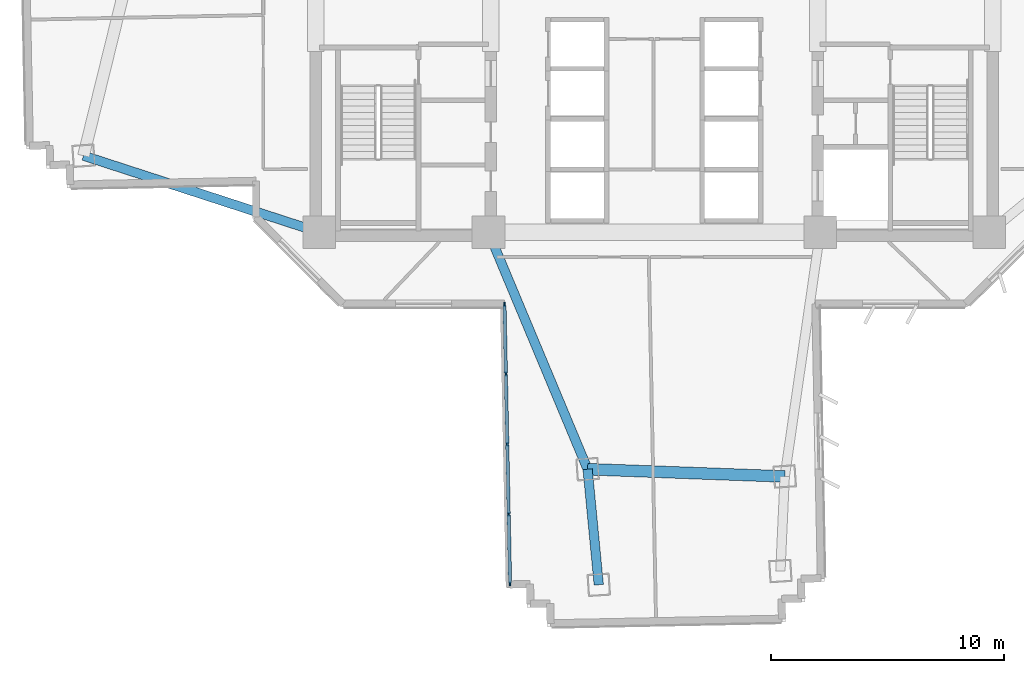
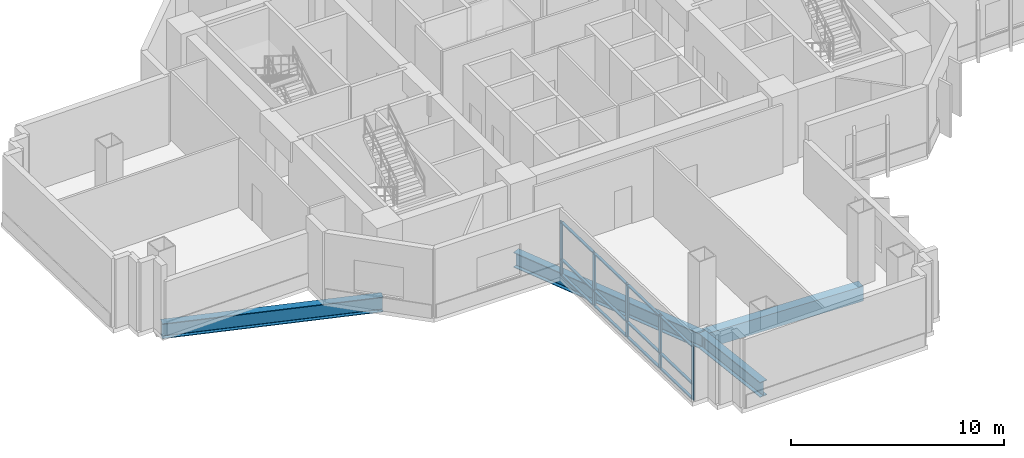
# One storey, part 2 of 15: 17 members, 4 beams, 1 element without a shape of its own.
"""IFC4 building model written with IfcOpenShell, lengths in metres."""

import ifcopenshell
import ifcopenshell.guid

model = None  # the IFC model being written
_history = None  # IfcOwnerHistory: only IFC2X3 demands one
_inside = {}  # id of a spatial element -> (the spatial element, [elements in it])
_under = {}  # id of a project, library or spatial element -> (it, [spatial elements below it])
_declared = {}  # id of a project -> (the project, [libraries it declares])
_typed = {}  # id of a type object -> (the type object, [elements of that type])
_made_of = {}  # id of a material, layer set ... -> (it, [elements and type objects made of it])


def new_model(schema):
    """Start an empty IFC model of exactly this schema.

    Asked for "IFC4X3", IfcOpenShell would pick the latest addendum, in which some entities
    have other attributes; the version numbers below select the first issue.
    IFC2X3 requires an IfcOwnerHistory on every rooted entity: one is made here for all.
    """
    global model, _history
    if schema == "IFC4X3":
        model = ifcopenshell.file(schema_version=(4, 3, 0, 0))
    else:
        model = ifcopenshell.file(schema=schema)
    _inside.clear()
    _under.clear()
    _declared.clear()
    _typed.clear()
    _made_of.clear()
    _history = None
    if model.schema == "IFC2X3":
        org = make("IfcOrganization", Name="unknown")
        user = make(
            "IfcPersonAndOrganization",
            ThePerson=make("IfcPerson", FamilyName="unknown"),
            TheOrganization=org,
        )
        app = make(
            "IfcApplication",
            ApplicationDeveloper=org,
            Version="unknown",
            ApplicationFullName="unknown",
            ApplicationIdentifier="unknown",
        )
        _history = make(
            "IfcOwnerHistory",
            OwningUser=user,
            OwningApplication=app,
            ChangeAction="ADDED",
            CreationDate=0,
        )
    return model


def make(cls, **values):
    """One entity of the class cls with the attributes given. An attribute that is None is left unset."""
    return model.create_entity(
        cls, **{name: value for name, value in values.items() if value is not None}
    )


def rooted(cls, **values):
    """An entity with a GlobalId (a new one), such as an element, a storey or a relation."""
    return make(cls, GlobalId=ifcopenshell.guid.new(), OwnerHistory=_history, **values)


def si_unit(unit_type, name, prefix=None):
    """IfcSIUnit, for example si_unit("LENGTHUNIT", "METRE", prefix="MILLI")."""
    return make("IfcSIUnit", UnitType=unit_type, Prefix=prefix, Name=name)


def assignment(units):
    """IfcUnitAssignment: the units of a project."""
    return None if units is None else make("IfcUnitAssignment", Units=units)


def point(xyz):
    """IfcCartesianPoint."""
    return None if xyz is None else make("IfcCartesianPoint", Coordinates=xyz)


def direction(xyz):
    """IfcDirection."""
    return None if xyz is None else make("IfcDirection", DirectionRatios=xyz)


def frame(location, z_axis=None, x_axis=None):
    """IfcAxis2Placement3D, a coordinate frame: its origin and axes. An axis left out is left unset."""
    return make(
        "IfcAxis2Placement3D",
        Location=point(location),
        Axis=direction(z_axis),
        RefDirection=direction(x_axis),
    )


def frame_2d(location, x_axis=None):
    """IfcAxis2Placement2D, a coordinate frame in the plane: its origin and x axis."""
    return make(
        "IfcAxis2Placement2D", Location=point(location), RefDirection=direction(x_axis)
    )


def origin():
    """The frame at (0, 0, 0) with its axes left unset."""
    return frame((0.0, 0.0, 0.0))


def origin_2d():
    """The frame at (0, 0) in the plane with its x axis left unset."""
    return frame_2d((0.0, 0.0))


def place(relative_to, where):
    """IfcLocalPlacement: puts the frame where relative to a parent placement (None: the world)."""
    return make(
        "IfcLocalPlacement", PlacementRelTo=relative_to, RelativePlacement=where
    )


def context(
    kind, dimensions, precision=None, world=None, true_north=None, identifier=None
):
    """IfcGeometricRepresentationContext, for example the 3D "Model" context."""
    return make(
        "IfcGeometricRepresentationContext",
        ContextIdentifier=identifier,
        ContextType=kind,
        CoordinateSpaceDimension=dimensions,
        Precision=precision,
        WorldCoordinateSystem=world,
        TrueNorth=true_north,
    )


def subcontext(parent, identifier, kind, view, scale=None):
    """IfcGeometricRepresentationSubContext, for example "Body" below "Model"."""
    return make(
        "IfcGeometricRepresentationSubContext",
        ContextIdentifier=identifier,
        ContextType=kind,
        ParentContext=parent,
        TargetScale=scale,
        TargetView=view,
    )


def project(units=None, contexts=None):
    """IfcProject with its units and contexts."""
    return rooted(
        "IfcProject",
        Name="project",
        RepresentationContexts=contexts,
        UnitsInContext=assignment(units),
    )


def spatial(cls, under=None, at=None, **own):
    """A site, building, storey or space (cls), placed at a placement, below another one or the project."""
    s = rooted(cls, ObjectPlacement=at, **own)
    if under is not None:
        _under.setdefault(under.id(), (under, []))[1].append(s)
    return s


def profile(cls, at=None, kind="AREA", **sizes):
    """A parametric profile (cls). Its sizes go by their IFC names, for example OverallWidth=200.0."""
    return make(cls, ProfileType=kind, Position=at, **sizes)


def rectangle(**sizes):
    """IfcRectangleProfileDef."""
    return profile("IfcRectangleProfileDef", **sizes)


def i_section(**sizes):
    """IfcIShapeProfileDef."""
    return profile("IfcIShapeProfileDef", **sizes)


def extrude(swept, where, along, depth):
    """IfcExtrudedAreaSolid: the profile swept, set in the frame where, extruded along a direction by depth."""
    return make(
        "IfcExtrudedAreaSolid",
        SweptArea=swept,
        Position=where,
        ExtrudedDirection=direction(along),
        Depth=depth,
    )


def shape(context_of_items, identifier, shape_type, items):
    """IfcShapeRepresentation: the items that make up one representation, for example the "Body"."""
    return make(
        "IfcShapeRepresentation",
        ContextOfItems=context_of_items,
        RepresentationIdentifier=identifier,
        RepresentationType=shape_type,
        Items=items,
    )


def source(mapping_origin, context_of_items, identifier, shape_type, items):
    """IfcRepresentationMap: a shape defined once, which mapped items show again and again."""
    return make(
        "IfcRepresentationMap",
        MappingOrigin=mapping_origin,
        MappedRepresentation=shape(context_of_items, identifier, shape_type, items),
    )


def transform(
    local_origin,
    x_axis=None,
    y_axis=None,
    z_axis=None,
    scale=None,
    scale2=None,
    scale3=None,
    uniform=True,
):
    """IfcCartesianTransformationOperator3D, or its non-uniform kind. x_axis, y_axis, z_axis: its Axis1, 2, 3."""
    if uniform:
        return make(
            "IfcCartesianTransformationOperator3D",
            Axis1=direction(x_axis),
            Axis2=direction(y_axis),
            LocalOrigin=point(local_origin),
            Scale=scale,
            Axis3=direction(z_axis),
        )
    return make(
        "IfcCartesianTransformationOperator3DnonUniform",
        Axis1=direction(x_axis),
        Axis2=direction(y_axis),
        LocalOrigin=point(local_origin),
        Scale=scale,
        Axis3=direction(z_axis),
        Scale2=scale2,
        Scale3=scale3,
    )


def mapped(mapping_source, mapping_target):
    """IfcMappedItem: shows the shape of a source again, moved by a transform."""
    return make(
        "IfcMappedItem", MappingSource=mapping_source, MappingTarget=mapping_target
    )


def material(Name=None, Category=None):
    """IfcMaterial."""
    return make("IfcMaterial", Name=Name, Category=Category)


def layer(
    of_material, thickness, ventilated=None, Name=None, Category=None, Priority=None
):
    """IfcMaterialLayer: one layer of a wall or slab, of a material (None: an air gap)."""
    return make(
        "IfcMaterialLayer",
        Material=of_material,
        LayerThickness=thickness,
        IsVentilated=ventilated,
        Name=Name,
        Category=Category,
        Priority=Priority,
    )


def layer_set(layers, Name=None):
    """IfcMaterialLayerSet."""
    return make("IfcMaterialLayerSet", MaterialLayers=layers, LayerSetName=Name)


def material_profile(
    of_material, cross_section, Name=None, Category=None, Priority=None
):
    """IfcMaterialProfile: a cross section and its material."""
    return make(
        "IfcMaterialProfile",
        Name=Name,
        Material=of_material,
        Profile=cross_section,
        Priority=Priority,
        Category=Category,
    )


def profile_set(profiles, Name=None, composite=None):
    """IfcMaterialProfileSet."""
    return make(
        "IfcMaterialProfileSet",
        Name=Name,
        MaterialProfiles=profiles,
        CompositeProfile=composite,
    )


def made_of(thing, what):
    """Note that an element or type object is made of a material, layer set ...; save() writes the relation."""
    if what is not None:
        _made_of.setdefault(what.id(), (what, []))[1].append(thing)
    return thing


def type_object(cls, material=None, **own):
    """A type object (cls), such as IfcWallType, which elements share."""
    return made_of(rooted(cls, **own), material)


def element(
    cls,
    number,
    at=None,
    inside=None,
    cuts=None,
    type_object=None,
    material=None,
    context=None,
    identifier="Body",
    shape_type=None,
    held_by="IfcProductDefinitionShape",
    body=None,
    shapes=None,
    **own,
):
    """One element of the class cls, such as IfcWall. Its Tag is "e" and its number.

    at: its placement. inside: the storey or other place that contains it. cuts: it is an
    opening in that element (IfcRelVoidsElement). A single representation is given by context,
    identifier, shape_type and body (its items); several are given by shapes. held_by: the class
    of the entity that holds the representations. save() writes the other relations.
    """
    e = rooted(cls, Tag="e%d" % number, ObjectPlacement=at, **own)
    if body is not None:
        shapes = [shape(context, identifier, shape_type, body)]
    if shapes is not None:
        e.Representation = make(held_by, Representations=shapes)
    if inside is not None:
        _inside.setdefault(inside.id(), (inside, []))[1].append(e)
    if cuts is not None:
        rooted(
            "IfcRelVoidsElement", RelatingBuildingElement=cuts, RelatedOpeningElement=e
        )
    if type_object is not None:
        _typed.setdefault(type_object.id(), (type_object, []))[1].append(e)
    return made_of(e, material)


def aggregate(whole, parts):
    """IfcRelAggregates: a whole, such as a stair, and the parts it consists of."""
    return rooted("IfcRelAggregates", RelatingObject=whole, RelatedObjects=parts)


def save(model, path):
    """Write the relations noted so far, then the file.

    IfcRelAggregates (storeys below a building ...), IfcRelContainedInSpatialStructure (elements
    in a storey), IfcRelDefinesByType, IfcRelAssociatesMaterial and IfcRelDeclares: one each for
    every whole, place, type object, material and project.
    """
    for whole, parts in _under.values():
        aggregate(whole, parts)
    for where, things in _inside.values():
        rooted(
            "IfcRelContainedInSpatialStructure",
            RelatedElements=things,
            RelatingStructure=where,
        )
    for kind, things in _typed.values():
        rooted("IfcRelDefinesByType", RelatedObjects=things, RelatingType=kind)
    for what, things in _made_of.values():
        rooted("IfcRelAssociatesMaterial", RelatedObjects=things, RelatingMaterial=what)
    for by, libraries in _declared.values():
        rooted("IfcRelDeclares", RelatingContext=by, RelatedDefinitions=libraries)
    model.write(path)


model = new_model("IFC4")

# Units and contexts
model_context = context("Model", 3, precision=1e-05, world=origin(), true_north=direction((0.0, 1.0)))
body_context = subcontext(model_context, "Body", "Model", "MODEL_VIEW")
ifc_project = project(units=[si_unit("LENGTHUNIT", "METRE"), si_unit("AREAUNIT", "SQUARE_METRE"), si_unit("VOLUMEUNIT", "CUBIC_METRE"), si_unit("PLANEANGLEUNIT", "RADIAN"), si_unit("MASSUNIT", "GRAM", prefix="KILO")], contexts=[model_context])

# Site, building, storey
site_placement = place(None, origin())
site = spatial("IfcSite", under=ifc_project, at=site_placement, CompositionType="ELEMENT")
building_placement = place(site_placement, origin())
building = spatial("IfcBuilding", under=site, at=building_placement, Name="Zahravan Cultural Tower", CompositionType="ELEMENT")
storey_placement = place(building_placement, frame((0.0, 0.0, 41.699951171875)))
storey = spatial("IfcBuildingStorey", under=building, at=storey_placement, Name="L08", CompositionType="ELEMENT", Elevation=41.699951171875)

# Beams
ifc_material_1 = material(Name="Concrete C50/60", Category="concrete")
ifc_material_profile_1 = material_profile(ifc_material_1, rectangle(XDim=0.5, YDim=0.85009765625, at=origin_2d()), Name="RC500X850")
ifc_profile_set_1 = profile_set([ifc_material_profile_1], Name="Concrete C50/60")
beam_type_1 = type_object("IfcBeamType", Name="BM-SP-RC500X850", PredefinedType="SPANDREL", material=ifc_profile_set_1)
shared_shape_1 = source(origin(), body_context, "Body", "SweptSolid", [
    extrude(rectangle(XDim=0.5, YDim=0.85009765625, at=origin_2d()), origin(), (0.0, 0.0, 1.0), 8.4482421875),
])
beam_1_placement = place(storey_placement, frame((33.142578125, 7.653564453125, -0.675048828125), z_axis=(0.999318826256, -0.036903705643, 0.0), x_axis=(0.036903705643, 0.999318826256, 0.0)))
element("IfcBeam", 1, at=beam_1_placement, inside=storey, type_object=beam_type_1, Name="L08 Beam SP-L08-19", PredefinedType="SPANDREL", context=body_context, shape_type="MappedRepresentation", body=[
    mapped(shared_shape_1, transform((0.0, 0.0, 0.0), x_axis=(1.0, 0.0, 0.0), y_axis=(0.0, 1.0, 0.0), z_axis=(0.0, 0.0, 1.0), scale=1.0)),
])
ifc_material_2 = material(Name="Steel ASTM A992 Grade 50", Category="steel")
ifc_material_profile_2 = material_profile(ifc_material_2, i_section(OverallWidth=0.39990234375, OverallDepth=0.862060546875, WebThickness=0.019775390625, FlangeThickness=0.032470703125, FilletRadius=0.02001953125, at=origin_2d()), Name="W33X221")
ifc_profile_set_2 = profile_set([ifc_material_profile_2], Name="Steel ASTM A992 Grade 50")
beam_type_2 = type_object("IfcBeamType", Name="BM-G-W33X221", PredefinedType="BEAM", material=ifc_profile_set_2)
shared_shape_2 = source(origin(), body_context, "Body", "SweptSolid", [
    extrude(i_section(OverallWidth=0.39990234375, OverallDepth=0.862060546875, WebThickness=0.019775390625, FlangeThickness=0.032470703125, FilletRadius=0.02001953125, at=origin_2d()), origin(), (0.0, 0.0, 1.0), 10.615966796875),
])
beam_2_placement = place(storey_placement, frame((21.64990234375, 17.800048828125, -0.680908203125), z_axis=(-0.951063640083, 0.30899506875, 0.0), x_axis=(-0.30899506875, -0.951063640083, 0.0)))
element("IfcBeam", 2, at=beam_2_placement, inside=storey, type_object=beam_type_2, Name="L08 Beam BG-L08-07", PredefinedType="BEAM", context=body_context, shape_type="MappedRepresentation", body=[
    mapped(shared_shape_2, transform((0.0, 0.0, 0.0), x_axis=(1.0, 0.0, 0.0), y_axis=(0.0, 1.0, 0.0), z_axis=(0.0, 0.0, 1.0), scale=1.0)),
])
shared_shape_3 = source(origin(), body_context, "Body", "SweptSolid", [
    extrude(i_section(OverallWidth=0.39990234375, OverallDepth=0.862060546875, WebThickness=0.019775390625, FlangeThickness=0.032470703125, FilletRadius=0.02001953125, at=origin_2d()), origin(), (0.0, 0.0, 1.0), 10.997802734375),
])
beam_3_placement = place(storey_placement, frame((28.89990234375, 17.800048828125, -0.680908203125), z_axis=(0.385775211449, -0.922592806297, 0.0), x_axis=(0.922592806297, 0.385775211449, 0.0)))
element("IfcBeam", 3, at=beam_3_placement, inside=storey, type_object=beam_type_2, Name="L08 Beam BG-L08-08", PredefinedType="BEAM", context=body_context, shape_type="MappedRepresentation", body=[
    mapped(shared_shape_3, transform((0.0, 0.0, 0.0), x_axis=(1.0, 0.0, 0.0), y_axis=(0.0, 1.0, 0.0), z_axis=(0.0, 0.0, 1.0), scale=1.0)),
])
shared_shape_4 = source(origin(), body_context, "Body", "SweptSolid", [
    extrude(i_section(OverallWidth=0.39990234375, OverallDepth=0.862060546875, WebThickness=0.019775390625, FlangeThickness=0.032470703125, FilletRadius=0.02001953125, at=origin_2d()), origin(), (0.0, 0.0, 1.0), 4.973876953125),
])
beam_4_placement = place(storey_placement, frame((33.142578125, 7.653564453125, -0.680908203125), z_axis=(0.096154779131, -0.995366394073, 0.0), x_axis=(0.995366394073, 0.096154779131, 0.0)))
element("IfcBeam", 4, at=beam_4_placement, inside=storey, type_object=beam_type_2, Name="L08 Beam BG-L08-17", PredefinedType="BEAM", context=body_context, shape_type="MappedRepresentation", body=[
    mapped(shared_shape_4, transform((0.0, 0.0, 0.0), x_axis=(1.0, 0.0, 0.0), y_axis=(0.0, 1.0, 0.0), z_axis=(0.0, 0.0, 1.0), scale=1.0)),
])

# Curtain wall, members
ifc_material_3 = material(Name="Anodised bronze-aluminium mullion", Category="aluminium")
ifc_layer = layer(ifc_material_3, 0.179931640625)
ifc_layer_set = layer_set([ifc_layer], Name="Anodised bronze-aluminium mullion")
curtain_wall_type = type_object("IfcCurtainWallType", Name="CW-SYS-3", PredefinedType="USERDEFINED", material=ifc_layer_set)
curtain_wall_placement = place(storey_placement, origin())
curtain_wall = element("IfcCurtainWall", 5, at=curtain_wall_placement, inside=storey, type_object=curtain_wall_type, Name="L08 Recessed Curtain Wall CW-3.1", ObjectType="RECESSED GLAZING", PredefinedType="USERDEFINED")
ifc_material_profile_3 = material_profile(ifc_material_3, rectangle(XDim=0.070068359375, YDim=0.179931640625, at=origin_2d()), Name="AL-M70X180")
ifc_profile_set_3 = profile_set([ifc_material_profile_3], Name="Anodised bronze-aluminium mullion")
member_type_1 = type_object("IfcMemberType", Name="CWM-CW-3", PredefinedType="MULLION", material=ifc_profile_set_3)
shared_shape_5 = source(origin(), body_context, "Body", "SweptSolid", [
    extrude(rectangle(XDim=0.070068359375, YDim=0.179931640625, at=origin_2d()), origin(), (0.0, 0.0, 1.0), 3.070068359375),
])
member_1_placement = place(storey_placement, frame((29.8212890625, 2.747314453125, 0.0), z_axis=(0.0, 0.0, 1.0), x_axis=(-0.999801973139, -0.019900113269, 0.0)))
member_1 = element("IfcMember", 6, at=member_1_placement, type_object=member_type_1, Name="CW-3 mullion 1", PredefinedType="MULLION", context=body_context, shape_type="MappedRepresentation", body=[
    mapped(shared_shape_5, transform((0.0, 0.0, 0.0), x_axis=(1.0, 0.0, 0.0), y_axis=(0.0, 1.0, 0.0), z_axis=(0.0, 0.0, 1.0), scale=1.0)),
])
member_2_placement = place(storey_placement, frame((29.76220703125, 5.71923828125, 0.0), z_axis=(0.0, 0.0, 1.0), x_axis=(-0.999801973139, -0.019900113269, 0.0)))
member_2 = element("IfcMember", 7, at=member_2_placement, type_object=member_type_1, Name="CW-3 mullion 2", PredefinedType="MULLION", context=body_context, shape_type="MappedRepresentation", body=[
    mapped(shared_shape_5, transform((0.0, 0.0, 0.0), x_axis=(1.0, 0.0, 0.0), y_axis=(0.0, 1.0, 0.0), z_axis=(0.0, 0.0, 1.0), scale=1.0)),
])
member_3_placement = place(storey_placement, frame((29.702392578125, 8.72607421875, 0.0), z_axis=(0.0, 0.0, 1.0), x_axis=(-0.999801973139, -0.019900113269, 0.0)))
member_3 = element("IfcMember", 8, at=member_3_placement, type_object=member_type_1, Name="CW-3 mullion 3", PredefinedType="MULLION", context=body_context, shape_type="MappedRepresentation", body=[
    mapped(shared_shape_5, transform((0.0, 0.0, 0.0), x_axis=(1.0, 0.0, 0.0), y_axis=(0.0, 1.0, 0.0), z_axis=(0.0, 0.0, 1.0), scale=1.0)),
])
member_4_placement = place(storey_placement, frame((29.642333984375, 11.733154296875, 0.0), z_axis=(0.0, 0.0, 1.0), x_axis=(-0.999801973139, -0.019900113269, 0.0)))
member_4 = element("IfcMember", 9, at=member_4_placement, type_object=member_type_1, Name="CW-3 mullion 4", PredefinedType="MULLION", context=body_context, shape_type="MappedRepresentation", body=[
    mapped(shared_shape_5, transform((0.0, 0.0, 0.0), x_axis=(1.0, 0.0, 0.0), y_axis=(0.0, 1.0, 0.0), z_axis=(0.0, 0.0, 1.0), scale=1.0)),
])
member_5_placement = place(storey_placement, frame((29.583251953125, 14.705078125, 0.0), z_axis=(0.0, 0.0, 1.0), x_axis=(-0.999801973139, -0.019900113269, 0.0)))
member_5 = element("IfcMember", 10, at=member_5_placement, type_object=member_type_1, Name="CW-3 mullion 5", PredefinedType="MULLION", context=body_context, shape_type="MappedRepresentation", body=[
    mapped(shared_shape_5, transform((0.0, 0.0, 0.0), x_axis=(1.0, 0.0, 0.0), y_axis=(0.0, 1.0, 0.0), z_axis=(0.0, 0.0, 1.0), scale=1.0)),
])
ifc_material_profile_4 = material_profile(ifc_material_3, rectangle(XDim=0.139892578125, YDim=0.070068359375, at=origin_2d()), Name="AL-T70X140")
ifc_profile_set_4 = profile_set([ifc_material_profile_4], Name="Anodised bronze-aluminium mullion")
member_type_2 = type_object("IfcMemberType", Name="CWT-CW-3", PredefinedType="USERDEFINED", material=ifc_profile_set_4)
shared_shape_6 = source(origin(), body_context, "Body", "SweptSolid", [
    extrude(rectangle(XDim=0.139892578125, YDim=0.070068359375, at=origin_2d()), origin(), (0.0, 0.0, 1.0), 2.902587890625),
])
member_6_placement = place(storey_placement, frame((29.820556640625, 2.7822265625, 0.03515625), z_axis=(-0.019849709946, 0.999802975098, 0.0), x_axis=(-0.999802975098, -0.019849709946, 0.0)))
member_6 = element("IfcMember", 11, at=member_6_placement, type_object=member_type_2, Name="CW-3 transom 1.1", ObjectType="TRANSOM", PredefinedType="USERDEFINED", context=body_context, shape_type="MappedRepresentation", body=[
    mapped(shared_shape_6, transform((0.0, 0.0, 0.0), x_axis=(1.0, 0.0, 0.0), y_axis=(0.0, 1.0, 0.0), z_axis=(0.0, 0.0, 1.0), scale=1.0)),
])
member_7_placement = place(storey_placement, frame((29.820556640625, 2.7822265625, 0.900146484375), z_axis=(-0.019849709946, 0.999802975098, 0.0), x_axis=(-0.999802975098, -0.019849709946, 0.0)))
member_7 = element("IfcMember", 12, at=member_7_placement, type_object=member_type_2, Name="CW-3 transom 1.2", ObjectType="TRANSOM", PredefinedType="USERDEFINED", context=body_context, shape_type="MappedRepresentation", body=[
    mapped(shared_shape_6, transform((0.0, 0.0, 0.0), x_axis=(1.0, 0.0, 0.0), y_axis=(0.0, 1.0, 0.0), z_axis=(0.0, 0.0, 1.0), scale=1.0)),
])
member_8_placement = place(storey_placement, frame((29.820556640625, 2.7822265625, 3.03515625), z_axis=(-0.019849709946, 0.999802975098, 0.0), x_axis=(-0.999802975098, -0.019849709946, 0.0)))
member_8 = element("IfcMember", 13, at=member_8_placement, type_object=member_type_2, Name="CW-3 transom 1.3", ObjectType="TRANSOM", PredefinedType="USERDEFINED", context=body_context, shape_type="MappedRepresentation", body=[
    mapped(shared_shape_6, transform((0.0, 0.0, 0.0), x_axis=(1.0, 0.0, 0.0), y_axis=(0.0, 1.0, 0.0), z_axis=(0.0, 0.0, 1.0), scale=1.0)),
])
shared_shape_7 = source(origin(), body_context, "Body", "SweptSolid", [
    extrude(rectangle(XDim=0.139892578125, YDim=0.070068359375, at=origin_2d()), origin(), (0.0, 0.0, 1.0), 2.9375),
])
member_9_placement = place(storey_placement, frame((29.761474609375, 5.754150390625, 0.03515625), z_axis=(-0.019946155724, 0.999801055646, 0.0), x_axis=(-0.999801055646, -0.019946155724, 0.0)))
member_9 = element("IfcMember", 14, at=member_9_placement, type_object=member_type_2, Name="CW-3 transom 2.1", ObjectType="TRANSOM", PredefinedType="USERDEFINED", context=body_context, shape_type="MappedRepresentation", body=[
    mapped(shared_shape_7, transform((0.0, 0.0, 0.0), x_axis=(1.0, 0.0, 0.0), y_axis=(0.0, 1.0, 0.0), z_axis=(0.0, 0.0, 1.0), scale=1.0)),
])
member_10_placement = place(storey_placement, frame((29.761474609375, 5.754150390625, 0.900146484375), z_axis=(-0.019946155724, 0.999801055646, 0.0), x_axis=(-0.999801055646, -0.019946155724, 0.0)))
member_10 = element("IfcMember", 15, at=member_10_placement, type_object=member_type_2, Name="CW-3 transom 2.2", ObjectType="TRANSOM", PredefinedType="USERDEFINED", context=body_context, shape_type="MappedRepresentation", body=[
    mapped(shared_shape_7, transform((0.0, 0.0, 0.0), x_axis=(1.0, 0.0, 0.0), y_axis=(0.0, 1.0, 0.0), z_axis=(0.0, 0.0, 1.0), scale=1.0)),
])
member_11_placement = place(storey_placement, frame((29.761474609375, 5.754150390625, 3.03515625), z_axis=(-0.019946155724, 0.999801055646, 0.0), x_axis=(-0.999801055646, -0.019946155724, 0.0)))
member_11 = element("IfcMember", 16, at=member_11_placement, type_object=member_type_2, Name="CW-3 transom 2.3", ObjectType="TRANSOM", PredefinedType="USERDEFINED", context=body_context, shape_type="MappedRepresentation", body=[
    mapped(shared_shape_7, transform((0.0, 0.0, 0.0), x_axis=(1.0, 0.0, 0.0), y_axis=(0.0, 1.0, 0.0), z_axis=(0.0, 0.0, 1.0), scale=1.0)),
])
shared_shape_8 = source(origin(), body_context, "Body", "SweptSolid", [
    extrude(rectangle(XDim=0.139892578125, YDim=0.070068359375, at=origin_2d()), origin(), (0.0, 0.0, 1.0), 2.937255859375),
])
member_12_placement = place(storey_placement, frame((29.70166015625, 8.76123046875, 0.03515625), z_axis=(-0.019947813236, 0.999801022578, 0.0), x_axis=(-0.999801022578, -0.019947813236, 0.0)))
member_12 = element("IfcMember", 17, at=member_12_placement, type_object=member_type_2, Name="CW-3 transom 3.1", ObjectType="TRANSOM", PredefinedType="USERDEFINED", context=body_context, shape_type="MappedRepresentation", body=[
    mapped(shared_shape_8, transform((0.0, 0.0, 0.0), x_axis=(1.0, 0.0, 0.0), y_axis=(0.0, 1.0, 0.0), z_axis=(0.0, 0.0, 1.0), scale=1.0)),
])
member_13_placement = place(storey_placement, frame((29.70166015625, 8.76123046875, 0.900146484375), z_axis=(-0.019947813236, 0.999801022578, 0.0), x_axis=(-0.999801022578, -0.019947813236, 0.0)))
member_13 = element("IfcMember", 18, at=member_13_placement, type_object=member_type_2, Name="CW-3 transom 3.2", ObjectType="TRANSOM", PredefinedType="USERDEFINED", context=body_context, shape_type="MappedRepresentation", body=[
    mapped(shared_shape_8, transform((0.0, 0.0, 0.0), x_axis=(1.0, 0.0, 0.0), y_axis=(0.0, 1.0, 0.0), z_axis=(0.0, 0.0, 1.0), scale=1.0)),
])
member_14_placement = place(storey_placement, frame((29.70166015625, 8.76123046875, 3.03515625), z_axis=(-0.019947813236, 0.999801022578, 0.0), x_axis=(-0.999801022578, -0.019947813236, 0.0)))
member_14 = element("IfcMember", 19, at=member_14_placement, type_object=member_type_2, Name="CW-3 transom 3.3", ObjectType="TRANSOM", PredefinedType="USERDEFINED", context=body_context, shape_type="MappedRepresentation", body=[
    mapped(shared_shape_8, transform((0.0, 0.0, 0.0), x_axis=(1.0, 0.0, 0.0), y_axis=(0.0, 1.0, 0.0), z_axis=(0.0, 0.0, 1.0), scale=1.0)),
])
shared_shape_9 = source(origin(), body_context, "Body", "SweptSolid", [
    extrude(rectangle(XDim=0.139892578125, YDim=0.070068359375, at=origin_2d()), origin(), (0.0, 0.0, 1.0), 2.90234375),
])
member_15_placement = place(storey_placement, frame((29.641845703125, 11.76806640625, 0.03515625), z_axis=(-0.01993546195, 0.999801268931, 0.0), x_axis=(-0.999801268931, -0.01993546195, 0.0)))
member_15 = element("IfcMember", 20, at=member_15_placement, type_object=member_type_2, Name="CW-3 transom 4.1", ObjectType="TRANSOM", PredefinedType="USERDEFINED", context=body_context, shape_type="MappedRepresentation", body=[
    mapped(shared_shape_9, transform((0.0, 0.0, 0.0), x_axis=(1.0, 0.0, 0.0), y_axis=(0.0, 1.0, 0.0), z_axis=(0.0, 0.0, 1.0), scale=1.0)),
])
member_16_placement = place(storey_placement, frame((29.641845703125, 11.76806640625, 0.900146484375), z_axis=(-0.01993546195, 0.999801268931, 0.0), x_axis=(-0.999801268931, -0.01993546195, 0.0)))
member_16 = element("IfcMember", 21, at=member_16_placement, type_object=member_type_2, Name="CW-3 transom 4.2", ObjectType="TRANSOM", PredefinedType="USERDEFINED", context=body_context, shape_type="MappedRepresentation", body=[
    mapped(shared_shape_9, transform((0.0, 0.0, 0.0), x_axis=(1.0, 0.0, 0.0), y_axis=(0.0, 1.0, 0.0), z_axis=(0.0, 0.0, 1.0), scale=1.0)),
])
member_17_placement = place(storey_placement, frame((29.641845703125, 11.76806640625, 3.03515625), z_axis=(-0.01993546195, 0.999801268931, 0.0), x_axis=(-0.999801268931, -0.01993546195, 0.0)))
member_17 = element("IfcMember", 22, at=member_17_placement, type_object=member_type_2, Name="CW-3 transom 4.3", ObjectType="TRANSOM", PredefinedType="USERDEFINED", context=body_context, shape_type="MappedRepresentation", body=[
    mapped(shared_shape_9, transform((0.0, 0.0, 0.0), x_axis=(1.0, 0.0, 0.0), y_axis=(0.0, 1.0, 0.0), z_axis=(0.0, 0.0, 1.0), scale=1.0)),
])
aggregate(curtain_wall, [member_1, member_2, member_3, member_4, member_5, member_6, member_7, member_8, member_9, member_10, member_11, member_12, member_13, member_14, member_15, member_16, member_17])

save(model, "model.ifc")
